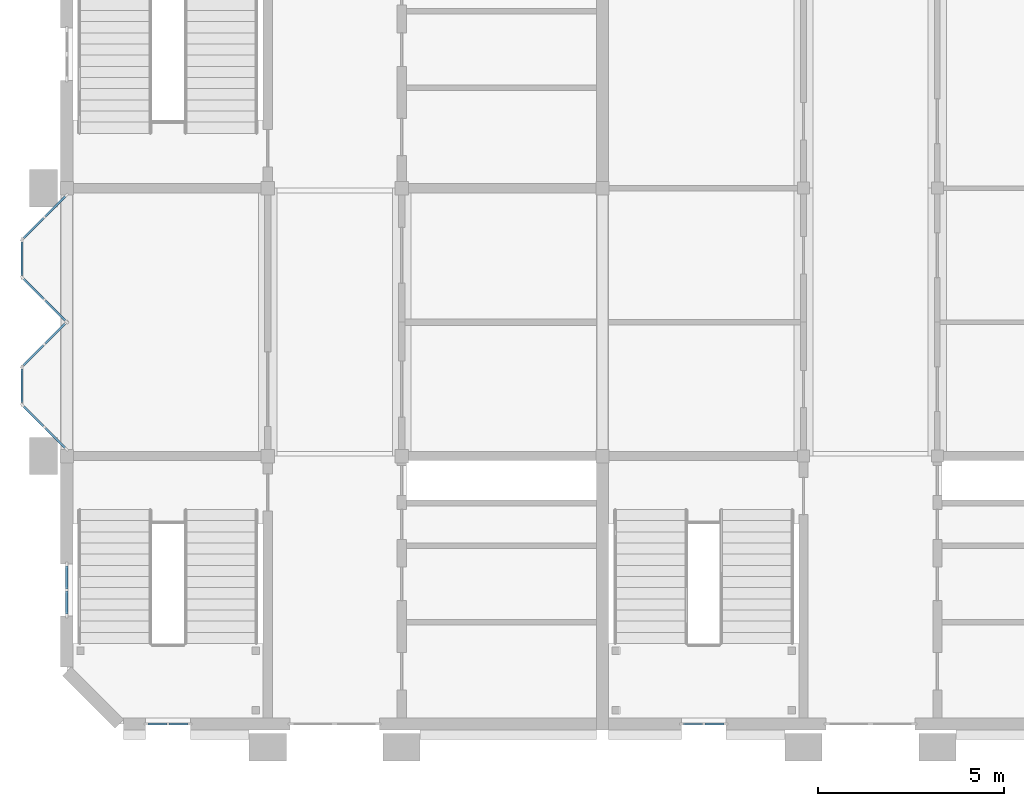
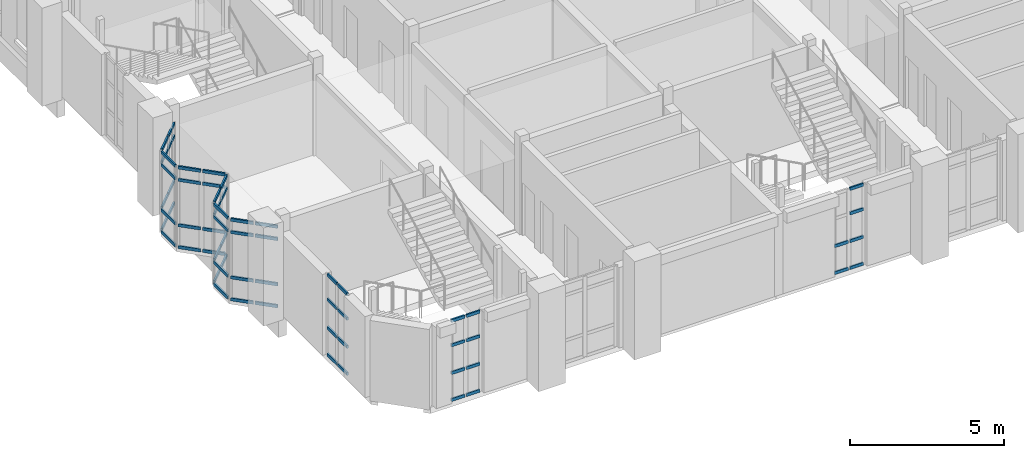
# One storey, part 21 of 69: 62 members, 9 elements without a shape of their own.
"""IFC4 building model written with IfcOpenShell, lengths in metres."""

from ifc_helpers import new_model, si_unit, direction, frame, origin, origin_2d, place, context, subcontext, project, spatial, rectangle, extrude, material, layer, layer_set, material_profile, profile_set, type_object, element, aggregate, save


model = new_model("IFC4")

# Units and contexts
model_context = context("Model", 3, precision=1e-05, world=origin(), true_north=direction((0.0, 1.0)))
body_context = subcontext(model_context, "Body", "Model", "MODEL_VIEW")
ifc_project = project(units=[si_unit("LENGTHUNIT", "METRE"), si_unit("AREAUNIT", "SQUARE_METRE"), si_unit("VOLUMEUNIT", "CUBIC_METRE"), si_unit("PLANEANGLEUNIT", "RADIAN"), si_unit("MASSUNIT", "GRAM", prefix="KILO")], contexts=[model_context])

# Site, building, storey
site_placement = place(None, origin())
site = spatial("IfcSite", under=ifc_project, at=site_placement, CompositionType="ELEMENT")
building_placement = place(site_placement, origin())
building = spatial("IfcBuilding", under=site, at=building_placement, Name="Mazhai Court Health Centre", CompositionType="ELEMENT")
storey_placement = place(building_placement, frame((0.0, 0.0, 6.300048828125)))
storey = spatial("IfcBuildingStorey", under=building, at=storey_placement, Name="L01", CompositionType="ELEMENT", Elevation=6.300048828125)

# Curtain wall, members
ifc_material_1 = material(Name="Teak timber frame, glazed", Category="wood")
ifc_layer_1 = layer(ifc_material_1, 0.10009765625)
ifc_layer_set_1 = layer_set([ifc_layer_1], Name="CURTAIN WALL TIMBER 600")
curtain_wall_type_1 = type_object("IfcCurtainWallType", Name="CURTAIN WALL TIMBER 600", PredefinedType="NOTDEFINED", material=ifc_layer_set_1)
curtain_wall_1_placement = place(storey_placement, origin())
curtain_wall_1 = element("IfcCurtainWall", 1, at=curtain_wall_1_placement, inside=storey, type_object=curtain_wall_type_1, Name="CW-V2-L01-A0", PredefinedType="NOTDEFINED")
ifc_material_2 = material(Name="Teak timber", Category="wood")
ifc_material_profile = material_profile(ifc_material_2, rectangle(XDim=0.06005859375, YDim=0.1201171875, at=origin_2d()), Name="CW TRANSOM 60x120")
ifc_profile_set = profile_set([ifc_material_profile], Name="Teak timber")
member_type = type_object("IfcMemberType", Name="CW TRANSOM 60x120", PredefinedType="USERDEFINED", material=ifc_profile_set)
member_1_placement = place(storey_placement, frame((6.199951171875, 9.159912109375, 0.030029296875), z_axis=(0.0, 1.0, 0.0), x_axis=(-1.0, 0.0, 0.0)))
member_1 = element("IfcMember", 2, at=member_1_placement, type_object=member_type, Name="CW transom 1.1", ObjectType="TRANSOM", PredefinedType="USERDEFINED", context=body_context, shape_type="SweptSolid", body=[
    extrude(rectangle(XDim=0.06005859375, YDim=0.1201171875, at=origin_2d()), origin(), (0.0, 0.0, 1.0), 0.610107421875),
])
member_2_placement = place(storey_placement, frame((6.199951171875, 9.159912109375, 1.099853515625), z_axis=(0.0, 1.0, 0.0), x_axis=(-1.0, 0.0, 0.0)))
member_2 = element("IfcMember", 3, at=member_2_placement, type_object=member_type, Name="CW transom 1.2", ObjectType="TRANSOM", PredefinedType="USERDEFINED", context=body_context, shape_type="SweptSolid", body=[
    extrude(rectangle(XDim=0.06005859375, YDim=0.1201171875, at=origin_2d()), origin(), (0.0, 0.0, 1.0), 0.610107421875),
])
member_3_placement = place(storey_placement, frame((6.199951171875, 9.159912109375, 2.219970703125), z_axis=(0.0, 1.0, 0.0), x_axis=(-1.0, 0.0, 0.0)))
member_3 = element("IfcMember", 4, at=member_3_placement, type_object=member_type, Name="CW transom 1.3", ObjectType="TRANSOM", PredefinedType="USERDEFINED", context=body_context, shape_type="SweptSolid", body=[
    extrude(rectangle(XDim=0.06005859375, YDim=0.1201171875, at=origin_2d()), origin(), (0.0, 0.0, 1.0), 0.610107421875),
])
member_4_placement = place(storey_placement, frame((6.199951171875, 9.159912109375, 3.18994140625), z_axis=(0.0, 1.0, 0.0), x_axis=(-1.0, 0.0, 0.0)))
member_4 = element("IfcMember", 5, at=member_4_placement, type_object=member_type, Name="CW transom 1.4", ObjectType="TRANSOM", PredefinedType="USERDEFINED", context=body_context, shape_type="SweptSolid", body=[
    extrude(rectangle(XDim=0.06005859375, YDim=0.1201171875, at=origin_2d()), origin(), (0.0, 0.0, 1.0), 0.610107421875),
])
member_5_placement = place(storey_placement, frame((6.199951171875, 9.830078125, 0.030029296875), z_axis=(0.0, 1.0, 0.0), x_axis=(-1.0, 0.0, 0.0)))
member_5 = element("IfcMember", 6, at=member_5_placement, type_object=member_type, Name="CW transom 2.1", ObjectType="TRANSOM", PredefinedType="USERDEFINED", context=body_context, shape_type="SweptSolid", body=[
    extrude(rectangle(XDim=0.06005859375, YDim=0.1201171875, at=origin_2d()), origin(), (0.0, 0.0, 1.0), 0.60986328125),
])
member_6_placement = place(storey_placement, frame((6.199951171875, 9.830078125, 1.099853515625), z_axis=(0.0, 1.0, 0.0), x_axis=(-1.0, 0.0, 0.0)))
member_6 = element("IfcMember", 7, at=member_6_placement, type_object=member_type, Name="CW transom 2.2", ObjectType="TRANSOM", PredefinedType="USERDEFINED", context=body_context, shape_type="SweptSolid", body=[
    extrude(rectangle(XDim=0.06005859375, YDim=0.1201171875, at=origin_2d()), origin(), (0.0, 0.0, 1.0), 0.60986328125),
])
member_7_placement = place(storey_placement, frame((6.199951171875, 9.830078125, 2.219970703125), z_axis=(0.0, 1.0, 0.0), x_axis=(-1.0, 0.0, 0.0)))
member_7 = element("IfcMember", 8, at=member_7_placement, type_object=member_type, Name="CW transom 2.3", ObjectType="TRANSOM", PredefinedType="USERDEFINED", context=body_context, shape_type="SweptSolid", body=[
    extrude(rectangle(XDim=0.06005859375, YDim=0.1201171875, at=origin_2d()), origin(), (0.0, 0.0, 1.0), 0.60986328125),
])
member_8_placement = place(storey_placement, frame((6.199951171875, 9.830078125, 3.18994140625), z_axis=(0.0, 1.0, 0.0), x_axis=(-1.0, 0.0, 0.0)))
member_8 = element("IfcMember", 9, at=member_8_placement, type_object=member_type, Name="CW transom 2.4", ObjectType="TRANSOM", PredefinedType="USERDEFINED", context=body_context, shape_type="SweptSolid", body=[
    extrude(rectangle(XDim=0.06005859375, YDim=0.1201171875, at=origin_2d()), origin(), (0.0, 0.0, 1.0), 0.60986328125),
])
aggregate(curtain_wall_1, [member_1, member_2, member_3, member_4, member_5, member_6, member_7, member_8])

ifc_material_3 = material(Name="Teak timber frame, glazed", Category="wood")
ifc_layer_2 = layer(ifc_material_3, 0.10009765625)
ifc_layer_set_2 = layer_set([ifc_layer_2], Name="CURTAIN WALL TIMBER 900")
curtain_wall_type_2 = type_object("IfcCurtainWallType", Name="CURTAIN WALL TIMBER 900", PredefinedType="NOTDEFINED", material=ifc_layer_set_2)
curtain_wall_2_placement = place(storey_placement, origin())
curtain_wall_2 = element("IfcCurtainWall", 10, at=curtain_wall_2_placement, inside=storey, type_object=curtain_wall_type_2, Name="CW-ORIEL-V2-L01-A10-0", PredefinedType="NOTDEFINED")
member_9_placement = place(storey_placement, frame((6.157470703125, 13.622314453125, 0.030029296875), z_axis=(-0.707106781187, 0.707106781187, 0.0), x_axis=(-0.707106781187, -0.707106781187, 0.0)))
member_9 = element("IfcMember", 11, at=member_9_placement, type_object=member_type, Name="CW transom 1.1", ObjectType="TRANSOM", PredefinedType="USERDEFINED", context=body_context, shape_type="SweptSolid", body=[
    extrude(rectangle(XDim=0.06005859375, YDim=0.1201171875, at=origin_2d()), origin(), (0.0, 0.0, 1.0), 0.758544921875),
])
member_10_placement = place(storey_placement, frame((6.157470703125, 13.622314453125, 0.89990234375), z_axis=(-0.707106781187, 0.707106781187, 0.0), x_axis=(-0.707106781187, -0.707106781187, 0.0)))
member_10 = element("IfcMember", 12, at=member_10_placement, type_object=member_type, Name="CW transom 1.2", ObjectType="TRANSOM", PredefinedType="USERDEFINED", context=body_context, shape_type="SweptSolid", body=[
    extrude(rectangle(XDim=0.06005859375, YDim=0.1201171875, at=origin_2d()), origin(), (0.0, 0.0, 1.0), 0.758544921875),
])
member_11_placement = place(storey_placement, frame((6.157470703125, 13.622314453125, 2.699951171875), z_axis=(-0.707106781187, 0.707106781187, 0.0), x_axis=(-0.707106781187, -0.707106781187, 0.0)))
member_11 = element("IfcMember", 13, at=member_11_placement, type_object=member_type, Name="CW transom 1.3", ObjectType="TRANSOM", PredefinedType="USERDEFINED", context=body_context, shape_type="SweptSolid", body=[
    extrude(rectangle(XDim=0.06005859375, YDim=0.1201171875, at=origin_2d()), origin(), (0.0, 0.0, 1.0), 0.758544921875),
])
member_12_placement = place(storey_placement, frame((6.157470703125, 13.622314453125, 3.18994140625), z_axis=(-0.707106781187, 0.707106781187, 0.0), x_axis=(-0.707106781187, -0.707106781187, 0.0)))
member_12 = element("IfcMember", 14, at=member_12_placement, type_object=member_type, Name="CW transom 1.4", ObjectType="TRANSOM", PredefinedType="USERDEFINED", context=body_context, shape_type="SweptSolid", body=[
    extrude(rectangle(XDim=0.06005859375, YDim=0.1201171875, at=origin_2d()), origin(), (0.0, 0.0, 1.0), 0.758544921875),
])
member_13_placement = place(storey_placement, frame((5.578857421875, 14.201171875, 0.030029296875), z_axis=(-0.707106781187, 0.707106781187, 0.0), x_axis=(-0.707106781187, -0.707106781187, 0.0)))
member_13 = element("IfcMember", 15, at=member_13_placement, type_object=member_type, Name="CW transom 2.1", ObjectType="TRANSOM", PredefinedType="USERDEFINED", context=body_context, shape_type="SweptSolid", body=[
    extrude(rectangle(XDim=0.06005859375, YDim=0.1201171875, at=origin_2d()), origin(), (0.0, 0.0, 1.0), 0.758544921875),
])
member_14_placement = place(storey_placement, frame((5.578857421875, 14.201171875, 0.89990234375), z_axis=(-0.707106781187, 0.707106781187, 0.0), x_axis=(-0.707106781187, -0.707106781187, 0.0)))
member_14 = element("IfcMember", 16, at=member_14_placement, type_object=member_type, Name="CW transom 2.2", ObjectType="TRANSOM", PredefinedType="USERDEFINED", context=body_context, shape_type="SweptSolid", body=[
    extrude(rectangle(XDim=0.06005859375, YDim=0.1201171875, at=origin_2d()), origin(), (0.0, 0.0, 1.0), 0.758544921875),
])
member_15_placement = place(storey_placement, frame((5.578857421875, 14.201171875, 2.699951171875), z_axis=(-0.707106781187, 0.707106781187, 0.0), x_axis=(-0.707106781187, -0.707106781187, 0.0)))
member_15 = element("IfcMember", 17, at=member_15_placement, type_object=member_type, Name="CW transom 2.3", ObjectType="TRANSOM", PredefinedType="USERDEFINED", context=body_context, shape_type="SweptSolid", body=[
    extrude(rectangle(XDim=0.06005859375, YDim=0.1201171875, at=origin_2d()), origin(), (0.0, 0.0, 1.0), 0.758544921875),
])
member_16_placement = place(storey_placement, frame((5.578857421875, 14.201171875, 3.18994140625), z_axis=(-0.707106781187, 0.707106781187, 0.0), x_axis=(-0.707106781187, -0.707106781187, 0.0)))
member_16 = element("IfcMember", 18, at=member_16_placement, type_object=member_type, Name="CW transom 2.4", ObjectType="TRANSOM", PredefinedType="USERDEFINED", context=body_context, shape_type="SweptSolid", body=[
    extrude(rectangle(XDim=0.06005859375, YDim=0.1201171875, at=origin_2d()), origin(), (0.0, 0.0, 1.0), 0.758544921875),
])
aggregate(curtain_wall_2, [member_9, member_10, member_11, member_12, member_13, member_14, member_15, member_16])

curtain_wall_3_placement = place(storey_placement, origin())
curtain_wall_3 = element("IfcCurtainWall", 19, at=curtain_wall_3_placement, inside=storey, type_object=curtain_wall_type_2, Name="CW-ORIEL-V2-L01-A10-1", PredefinedType="NOTDEFINED")
member_17_placement = place(storey_placement, frame((5.0, 14.840087890625, 0.030029296875), z_axis=(0.0, 1.0, 0.0), x_axis=(-1.0, 0.0, 0.0)))
member_17 = element("IfcMember", 20, at=member_17_placement, type_object=member_type, Name="CW transom 1.1", ObjectType="TRANSOM", PredefinedType="USERDEFINED", context=body_context, shape_type="SweptSolid", body=[
    extrude(rectangle(XDim=0.06005859375, YDim=0.1201171875, at=origin_2d()), origin(), (0.0, 0.0, 1.0), 0.89990234375),
])
member_18_placement = place(storey_placement, frame((5.0, 14.840087890625, 0.89990234375), z_axis=(0.0, 1.0, 0.0), x_axis=(-1.0, 0.0, 0.0)))
member_18 = element("IfcMember", 21, at=member_18_placement, type_object=member_type, Name="CW transom 1.2", ObjectType="TRANSOM", PredefinedType="USERDEFINED", context=body_context, shape_type="SweptSolid", body=[
    extrude(rectangle(XDim=0.06005859375, YDim=0.1201171875, at=origin_2d()), origin(), (0.0, 0.0, 1.0), 0.89990234375),
])
member_19_placement = place(storey_placement, frame((5.0, 14.840087890625, 2.699951171875), z_axis=(0.0, 1.0, 0.0), x_axis=(-1.0, 0.0, 0.0)))
member_19 = element("IfcMember", 22, at=member_19_placement, type_object=member_type, Name="CW transom 1.3", ObjectType="TRANSOM", PredefinedType="USERDEFINED", context=body_context, shape_type="SweptSolid", body=[
    extrude(rectangle(XDim=0.06005859375, YDim=0.1201171875, at=origin_2d()), origin(), (0.0, 0.0, 1.0), 0.89990234375),
])
member_20_placement = place(storey_placement, frame((5.0, 14.840087890625, 3.18994140625), z_axis=(0.0, 1.0, 0.0), x_axis=(-1.0, 0.0, 0.0)))
member_20 = element("IfcMember", 23, at=member_20_placement, type_object=member_type, Name="CW transom 1.4", ObjectType="TRANSOM", PredefinedType="USERDEFINED", context=body_context, shape_type="SweptSolid", body=[
    extrude(rectangle(XDim=0.06005859375, YDim=0.1201171875, at=origin_2d()), origin(), (0.0, 0.0, 1.0), 0.89990234375),
])
aggregate(curtain_wall_3, [member_17, member_18, member_19, member_20])

curtain_wall_4_placement = place(storey_placement, origin())
curtain_wall_4 = element("IfcCurtainWall", 24, at=curtain_wall_4_placement, inside=storey, type_object=curtain_wall_type_2, Name="CW-ORIEL-V2-L01-A10-2", PredefinedType="NOTDEFINED")
member_21_placement = place(storey_placement, frame((5.04248046875, 15.842529296875, 0.030029296875), z_axis=(0.707106781187, 0.707106781187, 0.0), x_axis=(-0.707106781187, 0.707106781187, 0.0)))
member_21 = element("IfcMember", 25, at=member_21_placement, type_object=member_type, Name="CW transom 1.1", ObjectType="TRANSOM", PredefinedType="USERDEFINED", context=body_context, shape_type="SweptSolid", body=[
    extrude(rectangle(XDim=0.06005859375, YDim=0.1201171875, at=origin_2d()), origin(), (0.0, 0.0, 1.0), 0.758544921875),
])
member_22_placement = place(storey_placement, frame((5.04248046875, 15.842529296875, 0.89990234375), z_axis=(0.707106781187, 0.707106781187, 0.0), x_axis=(-0.707106781187, 0.707106781187, 0.0)))
member_22 = element("IfcMember", 26, at=member_22_placement, type_object=member_type, Name="CW transom 1.2", ObjectType="TRANSOM", PredefinedType="USERDEFINED", context=body_context, shape_type="SweptSolid", body=[
    extrude(rectangle(XDim=0.06005859375, YDim=0.1201171875, at=origin_2d()), origin(), (0.0, 0.0, 1.0), 0.758544921875),
])
member_23_placement = place(storey_placement, frame((5.04248046875, 15.842529296875, 2.699951171875), z_axis=(0.707106781187, 0.707106781187, 0.0), x_axis=(-0.707106781187, 0.707106781187, 0.0)))
member_23 = element("IfcMember", 27, at=member_23_placement, type_object=member_type, Name="CW transom 1.3", ObjectType="TRANSOM", PredefinedType="USERDEFINED", context=body_context, shape_type="SweptSolid", body=[
    extrude(rectangle(XDim=0.06005859375, YDim=0.1201171875, at=origin_2d()), origin(), (0.0, 0.0, 1.0), 0.758544921875),
])
member_24_placement = place(storey_placement, frame((5.04248046875, 15.842529296875, 3.18994140625), z_axis=(0.707106781187, 0.707106781187, 0.0), x_axis=(-0.707106781187, 0.707106781187, 0.0)))
member_24 = element("IfcMember", 28, at=member_24_placement, type_object=member_type, Name="CW transom 1.4", ObjectType="TRANSOM", PredefinedType="USERDEFINED", context=body_context, shape_type="SweptSolid", body=[
    extrude(rectangle(XDim=0.06005859375, YDim=0.1201171875, at=origin_2d()), origin(), (0.0, 0.0, 1.0), 0.758544921875),
])
member_25_placement = place(storey_placement, frame((5.62109375, 16.421142578125, 0.030029296875), z_axis=(0.707106781187, 0.707106781187, 0.0), x_axis=(-0.707106781187, 0.707106781187, 0.0)))
member_25 = element("IfcMember", 29, at=member_25_placement, type_object=member_type, Name="CW transom 2.1", ObjectType="TRANSOM", PredefinedType="USERDEFINED", context=body_context, shape_type="SweptSolid", body=[
    extrude(rectangle(XDim=0.06005859375, YDim=0.1201171875, at=origin_2d()), origin(), (0.0, 0.0, 1.0), 0.758544921875),
])
member_26_placement = place(storey_placement, frame((5.62109375, 16.421142578125, 0.89990234375), z_axis=(0.707106781187, 0.707106781187, 0.0), x_axis=(-0.707106781187, 0.707106781187, 0.0)))
member_26 = element("IfcMember", 30, at=member_26_placement, type_object=member_type, Name="CW transom 2.2", ObjectType="TRANSOM", PredefinedType="USERDEFINED", context=body_context, shape_type="SweptSolid", body=[
    extrude(rectangle(XDim=0.06005859375, YDim=0.1201171875, at=origin_2d()), origin(), (0.0, 0.0, 1.0), 0.758544921875),
])
member_27_placement = place(storey_placement, frame((5.62109375, 16.421142578125, 2.699951171875), z_axis=(0.707106781187, 0.707106781187, 0.0), x_axis=(-0.707106781187, 0.707106781187, 0.0)))
member_27 = element("IfcMember", 31, at=member_27_placement, type_object=member_type, Name="CW transom 2.3", ObjectType="TRANSOM", PredefinedType="USERDEFINED", context=body_context, shape_type="SweptSolid", body=[
    extrude(rectangle(XDim=0.06005859375, YDim=0.1201171875, at=origin_2d()), origin(), (0.0, 0.0, 1.0), 0.758544921875),
])
member_28_placement = place(storey_placement, frame((5.62109375, 16.421142578125, 3.18994140625), z_axis=(0.707106781187, 0.707106781187, 0.0), x_axis=(-0.707106781187, 0.707106781187, 0.0)))
member_28 = element("IfcMember", 32, at=member_28_placement, type_object=member_type, Name="CW transom 2.4", ObjectType="TRANSOM", PredefinedType="USERDEFINED", context=body_context, shape_type="SweptSolid", body=[
    extrude(rectangle(XDim=0.06005859375, YDim=0.1201171875, at=origin_2d()), origin(), (0.0, 0.0, 1.0), 0.758544921875),
])
aggregate(curtain_wall_4, [member_21, member_22, member_23, member_24, member_25, member_26, member_27, member_28])

curtain_wall_5_placement = place(storey_placement, origin())
curtain_wall_5 = element("IfcCurtainWall", 33, at=curtain_wall_5_placement, inside=storey, type_object=curtain_wall_type_2, Name="CW-ORIEL-V2-L01-A11-0", PredefinedType="NOTDEFINED")
member_29_placement = place(storey_placement, frame((6.157470703125, 17.04248046875, 0.030029296875), z_axis=(-0.707106781187, 0.707106781187, 0.0), x_axis=(-0.707106781187, -0.707106781187, 0.0)))
member_29 = element("IfcMember", 34, at=member_29_placement, type_object=member_type, Name="CW transom 1.1", ObjectType="TRANSOM", PredefinedType="USERDEFINED", context=body_context, shape_type="SweptSolid", body=[
    extrude(rectangle(XDim=0.06005859375, YDim=0.1201171875, at=origin_2d()), origin(), (0.0, 0.0, 1.0), 0.758544921875),
])
member_30_placement = place(storey_placement, frame((6.157470703125, 17.04248046875, 0.89990234375), z_axis=(-0.707106781187, 0.707106781187, 0.0), x_axis=(-0.707106781187, -0.707106781187, 0.0)))
member_30 = element("IfcMember", 35, at=member_30_placement, type_object=member_type, Name="CW transom 1.2", ObjectType="TRANSOM", PredefinedType="USERDEFINED", context=body_context, shape_type="SweptSolid", body=[
    extrude(rectangle(XDim=0.06005859375, YDim=0.1201171875, at=origin_2d()), origin(), (0.0, 0.0, 1.0), 0.758544921875),
])
member_31_placement = place(storey_placement, frame((6.157470703125, 17.04248046875, 2.699951171875), z_axis=(-0.707106781187, 0.707106781187, 0.0), x_axis=(-0.707106781187, -0.707106781187, 0.0)))
member_31 = element("IfcMember", 36, at=member_31_placement, type_object=member_type, Name="CW transom 1.3", ObjectType="TRANSOM", PredefinedType="USERDEFINED", context=body_context, shape_type="SweptSolid", body=[
    extrude(rectangle(XDim=0.06005859375, YDim=0.1201171875, at=origin_2d()), origin(), (0.0, 0.0, 1.0), 0.758544921875),
])
member_32_placement = place(storey_placement, frame((6.157470703125, 17.04248046875, 3.18994140625), z_axis=(-0.707106781187, 0.707106781187, 0.0), x_axis=(-0.707106781187, -0.707106781187, 0.0)))
member_32 = element("IfcMember", 37, at=member_32_placement, type_object=member_type, Name="CW transom 1.4", ObjectType="TRANSOM", PredefinedType="USERDEFINED", context=body_context, shape_type="SweptSolid", body=[
    extrude(rectangle(XDim=0.06005859375, YDim=0.1201171875, at=origin_2d()), origin(), (0.0, 0.0, 1.0), 0.758544921875),
])
member_33_placement = place(storey_placement, frame((5.578857421875, 17.62109375, 0.030029296875), z_axis=(-0.707106781187, 0.707106781187, 0.0), x_axis=(-0.707106781187, -0.707106781187, 0.0)))
member_33 = element("IfcMember", 38, at=member_33_placement, type_object=member_type, Name="CW transom 2.1", ObjectType="TRANSOM", PredefinedType="USERDEFINED", context=body_context, shape_type="SweptSolid", body=[
    extrude(rectangle(XDim=0.06005859375, YDim=0.1201171875, at=origin_2d()), origin(), (0.0, 0.0, 1.0), 0.758544921875),
])
member_34_placement = place(storey_placement, frame((5.578857421875, 17.62109375, 0.89990234375), z_axis=(-0.707106781187, 0.707106781187, 0.0), x_axis=(-0.707106781187, -0.707106781187, 0.0)))
member_34 = element("IfcMember", 39, at=member_34_placement, type_object=member_type, Name="CW transom 2.2", ObjectType="TRANSOM", PredefinedType="USERDEFINED", context=body_context, shape_type="SweptSolid", body=[
    extrude(rectangle(XDim=0.06005859375, YDim=0.1201171875, at=origin_2d()), origin(), (0.0, 0.0, 1.0), 0.758544921875),
])
member_35_placement = place(storey_placement, frame((5.578857421875, 17.62109375, 2.699951171875), z_axis=(-0.707106781187, 0.707106781187, 0.0), x_axis=(-0.707106781187, -0.707106781187, 0.0)))
member_35 = element("IfcMember", 40, at=member_35_placement, type_object=member_type, Name="CW transom 2.3", ObjectType="TRANSOM", PredefinedType="USERDEFINED", context=body_context, shape_type="SweptSolid", body=[
    extrude(rectangle(XDim=0.06005859375, YDim=0.1201171875, at=origin_2d()), origin(), (0.0, 0.0, 1.0), 0.758544921875),
])
member_36_placement = place(storey_placement, frame((5.578857421875, 17.62109375, 3.18994140625), z_axis=(-0.707106781187, 0.707106781187, 0.0), x_axis=(-0.707106781187, -0.707106781187, 0.0)))
member_36 = element("IfcMember", 41, at=member_36_placement, type_object=member_type, Name="CW transom 2.4", ObjectType="TRANSOM", PredefinedType="USERDEFINED", context=body_context, shape_type="SweptSolid", body=[
    extrude(rectangle(XDim=0.06005859375, YDim=0.1201171875, at=origin_2d()), origin(), (0.0, 0.0, 1.0), 0.758544921875),
])
aggregate(curtain_wall_5, [member_29, member_30, member_31, member_32, member_33, member_34, member_35, member_36])

curtain_wall_6_placement = place(storey_placement, origin())
curtain_wall_6 = element("IfcCurtainWall", 42, at=curtain_wall_6_placement, inside=storey, type_object=curtain_wall_type_2, Name="CW-ORIEL-V2-L01-A11-1", PredefinedType="NOTDEFINED")
member_37_placement = place(storey_placement, frame((5.0, 18.260009765625, 0.030029296875), z_axis=(0.0, 1.0, 0.0), x_axis=(-1.0, 0.0, 0.0)))
member_37 = element("IfcMember", 43, at=member_37_placement, type_object=member_type, Name="CW transom 1.1", ObjectType="TRANSOM", PredefinedType="USERDEFINED", context=body_context, shape_type="SweptSolid", body=[
    extrude(rectangle(XDim=0.06005859375, YDim=0.1201171875, at=origin_2d()), origin(), (0.0, 0.0, 1.0), 0.89990234375),
])
member_38_placement = place(storey_placement, frame((5.0, 18.260009765625, 0.89990234375), z_axis=(0.0, 1.0, 0.0), x_axis=(-1.0, 0.0, 0.0)))
member_38 = element("IfcMember", 44, at=member_38_placement, type_object=member_type, Name="CW transom 1.2", ObjectType="TRANSOM", PredefinedType="USERDEFINED", context=body_context, shape_type="SweptSolid", body=[
    extrude(rectangle(XDim=0.06005859375, YDim=0.1201171875, at=origin_2d()), origin(), (0.0, 0.0, 1.0), 0.89990234375),
])
member_39_placement = place(storey_placement, frame((5.0, 18.260009765625, 2.699951171875), z_axis=(0.0, 1.0, 0.0), x_axis=(-1.0, 0.0, 0.0)))
member_39 = element("IfcMember", 45, at=member_39_placement, type_object=member_type, Name="CW transom 1.3", ObjectType="TRANSOM", PredefinedType="USERDEFINED", context=body_context, shape_type="SweptSolid", body=[
    extrude(rectangle(XDim=0.06005859375, YDim=0.1201171875, at=origin_2d()), origin(), (0.0, 0.0, 1.0), 0.89990234375),
])
member_40_placement = place(storey_placement, frame((5.0, 18.260009765625, 3.18994140625), z_axis=(0.0, 1.0, 0.0), x_axis=(-1.0, 0.0, 0.0)))
member_40 = element("IfcMember", 46, at=member_40_placement, type_object=member_type, Name="CW transom 1.4", ObjectType="TRANSOM", PredefinedType="USERDEFINED", context=body_context, shape_type="SweptSolid", body=[
    extrude(rectangle(XDim=0.06005859375, YDim=0.1201171875, at=origin_2d()), origin(), (0.0, 0.0, 1.0), 0.89990234375),
])
aggregate(curtain_wall_6, [member_37, member_38, member_39, member_40])

curtain_wall_7_placement = place(storey_placement, origin())
curtain_wall_7 = element("IfcCurtainWall", 47, at=curtain_wall_7_placement, inside=storey, type_object=curtain_wall_type_2, Name="CW-ORIEL-V2-L01-A11-2", PredefinedType="NOTDEFINED")
member_41_placement = place(storey_placement, frame((5.04248046875, 19.262451171875, 0.030029296875), z_axis=(0.707106781187, 0.707106781187, 0.0), x_axis=(-0.707106781187, 0.707106781187, 0.0)))
member_41 = element("IfcMember", 48, at=member_41_placement, type_object=member_type, Name="CW transom 1.1", ObjectType="TRANSOM", PredefinedType="USERDEFINED", context=body_context, shape_type="SweptSolid", body=[
    extrude(rectangle(XDim=0.06005859375, YDim=0.1201171875, at=origin_2d()), origin(), (0.0, 0.0, 1.0), 0.758544921875),
])
member_42_placement = place(storey_placement, frame((5.04248046875, 19.262451171875, 0.89990234375), z_axis=(0.707106781187, 0.707106781187, 0.0), x_axis=(-0.707106781187, 0.707106781187, 0.0)))
member_42 = element("IfcMember", 49, at=member_42_placement, type_object=member_type, Name="CW transom 1.2", ObjectType="TRANSOM", PredefinedType="USERDEFINED", context=body_context, shape_type="SweptSolid", body=[
    extrude(rectangle(XDim=0.06005859375, YDim=0.1201171875, at=origin_2d()), origin(), (0.0, 0.0, 1.0), 0.758544921875),
])
member_43_placement = place(storey_placement, frame((5.04248046875, 19.262451171875, 2.699951171875), z_axis=(0.707106781187, 0.707106781187, 0.0), x_axis=(-0.707106781187, 0.707106781187, 0.0)))
member_43 = element("IfcMember", 50, at=member_43_placement, type_object=member_type, Name="CW transom 1.3", ObjectType="TRANSOM", PredefinedType="USERDEFINED", context=body_context, shape_type="SweptSolid", body=[
    extrude(rectangle(XDim=0.06005859375, YDim=0.1201171875, at=origin_2d()), origin(), (0.0, 0.0, 1.0), 0.758544921875),
])
member_44_placement = place(storey_placement, frame((5.04248046875, 19.262451171875, 3.18994140625), z_axis=(0.707106781187, 0.707106781187, 0.0), x_axis=(-0.707106781187, 0.707106781187, 0.0)))
member_44 = element("IfcMember", 51, at=member_44_placement, type_object=member_type, Name="CW transom 1.4", ObjectType="TRANSOM", PredefinedType="USERDEFINED", context=body_context, shape_type="SweptSolid", body=[
    extrude(rectangle(XDim=0.06005859375, YDim=0.1201171875, at=origin_2d()), origin(), (0.0, 0.0, 1.0), 0.758544921875),
])
member_45_placement = place(storey_placement, frame((5.62109375, 19.84130859375, 0.030029296875), z_axis=(0.707106781187, 0.707106781187, 0.0), x_axis=(-0.707106781187, 0.707106781187, 0.0)))
member_45 = element("IfcMember", 52, at=member_45_placement, type_object=member_type, Name="CW transom 2.1", ObjectType="TRANSOM", PredefinedType="USERDEFINED", context=body_context, shape_type="SweptSolid", body=[
    extrude(rectangle(XDim=0.06005859375, YDim=0.1201171875, at=origin_2d()), origin(), (0.0, 0.0, 1.0), 0.758544921875),
])
member_46_placement = place(storey_placement, frame((5.62109375, 19.84130859375, 0.89990234375), z_axis=(0.707106781187, 0.707106781187, 0.0), x_axis=(-0.707106781187, 0.707106781187, 0.0)))
member_46 = element("IfcMember", 53, at=member_46_placement, type_object=member_type, Name="CW transom 2.2", ObjectType="TRANSOM", PredefinedType="USERDEFINED", context=body_context, shape_type="SweptSolid", body=[
    extrude(rectangle(XDim=0.06005859375, YDim=0.1201171875, at=origin_2d()), origin(), (0.0, 0.0, 1.0), 0.758544921875),
])
member_47_placement = place(storey_placement, frame((5.62109375, 19.84130859375, 2.699951171875), z_axis=(0.707106781187, 0.707106781187, 0.0), x_axis=(-0.707106781187, 0.707106781187, 0.0)))
member_47 = element("IfcMember", 54, at=member_47_placement, type_object=member_type, Name="CW transom 2.3", ObjectType="TRANSOM", PredefinedType="USERDEFINED", context=body_context, shape_type="SweptSolid", body=[
    extrude(rectangle(XDim=0.06005859375, YDim=0.1201171875, at=origin_2d()), origin(), (0.0, 0.0, 1.0), 0.758544921875),
])
member_48_placement = place(storey_placement, frame((5.62109375, 19.84130859375, 3.18994140625), z_axis=(0.707106781187, 0.707106781187, 0.0), x_axis=(-0.707106781187, 0.707106781187, 0.0)))
member_48 = element("IfcMember", 55, at=member_48_placement, type_object=member_type, Name="CW transom 2.4", ObjectType="TRANSOM", PredefinedType="USERDEFINED", context=body_context, shape_type="SweptSolid", body=[
    extrude(rectangle(XDim=0.06005859375, YDim=0.1201171875, at=origin_2d()), origin(), (0.0, 0.0, 1.0), 0.758544921875),
])
aggregate(curtain_wall_7, [member_41, member_42, member_43, member_44, member_45, member_46, member_47, member_48])

curtain_wall_8_placement = place(storey_placement, origin())
curtain_wall_8 = element("IfcCurtainWall", 56, at=curtain_wall_8_placement, inside=storey, type_object=curtain_wall_type_1, Name="CW-V2-L01-SSTAIR0", PredefinedType="NOTDEFINED")
member_49_placement = place(storey_placement, frame((9.4599609375, 6.199951171875, 0.030029296875), z_axis=(-1.0, 0.0, 0.0), x_axis=(0.0, -1.0, 0.0)))
member_49 = element("IfcMember", 57, at=member_49_placement, type_object=member_type, Name="CW transom 1.1", ObjectType="TRANSOM", PredefinedType="USERDEFINED", context=body_context, shape_type="SweptSolid", body=[
    extrude(rectangle(XDim=0.06005859375, YDim=0.1201171875, at=origin_2d()), origin(), (0.0, 0.0, 1.0), 0.510009765625),
])
member_50_placement = place(storey_placement, frame((9.4599609375, 6.199951171875, 1.099853515625), z_axis=(-1.0, 0.0, 0.0), x_axis=(0.0, -1.0, 0.0)))
member_50 = element("IfcMember", 58, at=member_50_placement, type_object=member_type, Name="CW transom 1.2", ObjectType="TRANSOM", PredefinedType="USERDEFINED", context=body_context, shape_type="SweptSolid", body=[
    extrude(rectangle(XDim=0.06005859375, YDim=0.1201171875, at=origin_2d()), origin(), (0.0, 0.0, 1.0), 0.510009765625),
])
member_51_placement = place(storey_placement, frame((9.4599609375, 6.199951171875, 2.199951171875), z_axis=(-1.0, 0.0, 0.0), x_axis=(0.0, -1.0, 0.0)))
member_51 = element("IfcMember", 59, at=member_51_placement, type_object=member_type, Name="CW transom 1.3", ObjectType="TRANSOM", PredefinedType="USERDEFINED", context=body_context, shape_type="SweptSolid", body=[
    extrude(rectangle(XDim=0.06005859375, YDim=0.1201171875, at=origin_2d()), origin(), (0.0, 0.0, 1.0), 0.510009765625),
])
member_52_placement = place(storey_placement, frame((9.4599609375, 6.199951171875, 3.169921875), z_axis=(-1.0, 0.0, 0.0), x_axis=(0.0, -1.0, 0.0)))
member_52 = element("IfcMember", 60, at=member_52_placement, type_object=member_type, Name="CW transom 1.4", ObjectType="TRANSOM", PredefinedType="USERDEFINED", context=body_context, shape_type="SweptSolid", body=[
    extrude(rectangle(XDim=0.06005859375, YDim=0.1201171875, at=origin_2d()), origin(), (0.0, 0.0, 1.0), 0.510009765625),
])
member_53_placement = place(storey_placement, frame((8.889892578125, 6.199951171875, 0.030029296875), z_axis=(-1.0, 0.0, 0.0), x_axis=(0.0, -1.0, 0.0)))
member_53 = element("IfcMember", 61, at=member_53_placement, type_object=member_type, Name="CW transom 2.1", ObjectType="TRANSOM", PredefinedType="USERDEFINED", context=body_context, shape_type="SweptSolid", body=[
    extrude(rectangle(XDim=0.06005859375, YDim=0.1201171875, at=origin_2d()), origin(), (0.0, 0.0, 1.0), 0.510009765625),
])
member_54_placement = place(storey_placement, frame((8.889892578125, 6.199951171875, 1.099853515625), z_axis=(-1.0, 0.0, 0.0), x_axis=(0.0, -1.0, 0.0)))
member_54 = element("IfcMember", 62, at=member_54_placement, type_object=member_type, Name="CW transom 2.2", ObjectType="TRANSOM", PredefinedType="USERDEFINED", context=body_context, shape_type="SweptSolid", body=[
    extrude(rectangle(XDim=0.06005859375, YDim=0.1201171875, at=origin_2d()), origin(), (0.0, 0.0, 1.0), 0.510009765625),
])
member_55_placement = place(storey_placement, frame((8.889892578125, 6.199951171875, 2.199951171875), z_axis=(-1.0, 0.0, 0.0), x_axis=(0.0, -1.0, 0.0)))
member_55 = element("IfcMember", 63, at=member_55_placement, type_object=member_type, Name="CW transom 2.3", ObjectType="TRANSOM", PredefinedType="USERDEFINED", context=body_context, shape_type="SweptSolid", body=[
    extrude(rectangle(XDim=0.06005859375, YDim=0.1201171875, at=origin_2d()), origin(), (0.0, 0.0, 1.0), 0.510009765625),
])
member_56_placement = place(storey_placement, frame((8.889892578125, 6.199951171875, 3.169921875), z_axis=(-1.0, 0.0, 0.0), x_axis=(0.0, -1.0, 0.0)))
member_56 = element("IfcMember", 64, at=member_56_placement, type_object=member_type, Name="CW transom 2.4", ObjectType="TRANSOM", PredefinedType="USERDEFINED", context=body_context, shape_type="SweptSolid", body=[
    extrude(rectangle(XDim=0.06005859375, YDim=0.1201171875, at=origin_2d()), origin(), (0.0, 0.0, 1.0), 0.510009765625),
])
aggregate(curtain_wall_8, [member_49, member_50, member_51, member_52, member_53, member_54, member_55, member_56])

curtain_wall_9_placement = place(storey_placement, origin())
curtain_wall_9 = element("IfcCurtainWall", 65, at=curtain_wall_9_placement, inside=storey, type_object=curtain_wall_type_1, Name="CW-V5-L01-SSTAIR0", PredefinedType="NOTDEFINED")
member_57_placement = place(storey_placement, frame((23.860107421875, 6.199951171875, 0.030029296875), z_axis=(-1.0, 0.0, 0.0), x_axis=(0.0, -1.0, 0.0)))
member_57 = element("IfcMember", 66, at=member_57_placement, type_object=member_type, Name="CW transom 1.1", ObjectType="TRANSOM", PredefinedType="USERDEFINED", context=body_context, shape_type="SweptSolid", body=[
    extrude(rectangle(XDim=0.06005859375, YDim=0.1201171875, at=origin_2d()), origin(), (0.0, 0.0, 1.0), 0.510009765625),
])
member_58_placement = place(storey_placement, frame((23.860107421875, 6.199951171875, 1.099853515625), z_axis=(-1.0, 0.0, 0.0), x_axis=(0.0, -1.0, 0.0)))
member_58 = element("IfcMember", 67, at=member_58_placement, type_object=member_type, Name="CW transom 1.2", ObjectType="TRANSOM", PredefinedType="USERDEFINED", context=body_context, shape_type="SweptSolid", body=[
    extrude(rectangle(XDim=0.06005859375, YDim=0.1201171875, at=origin_2d()), origin(), (0.0, 0.0, 1.0), 0.510009765625),
])
member_59_placement = place(storey_placement, frame((23.860107421875, 6.199951171875, 2.199951171875), z_axis=(-1.0, 0.0, 0.0), x_axis=(0.0, -1.0, 0.0)))
member_59 = element("IfcMember", 68, at=member_59_placement, type_object=member_type, Name="CW transom 1.3", ObjectType="TRANSOM", PredefinedType="USERDEFINED", context=body_context, shape_type="SweptSolid", body=[
    extrude(rectangle(XDim=0.06005859375, YDim=0.1201171875, at=origin_2d()), origin(), (0.0, 0.0, 1.0), 0.510009765625),
])
member_60_placement = place(storey_placement, frame((23.860107421875, 6.199951171875, 3.169921875), z_axis=(-1.0, 0.0, 0.0), x_axis=(0.0, -1.0, 0.0)))
member_60 = element("IfcMember", 69, at=member_60_placement, type_object=member_type, Name="CW transom 1.4", ObjectType="TRANSOM", PredefinedType="USERDEFINED", context=body_context, shape_type="SweptSolid", body=[
    extrude(rectangle(XDim=0.06005859375, YDim=0.1201171875, at=origin_2d()), origin(), (0.0, 0.0, 1.0), 0.510009765625),
])
member_61_placement = place(storey_placement, frame((23.2900390625, 6.199951171875, 0.030029296875), z_axis=(-1.0, 0.0, 0.0), x_axis=(0.0, -1.0, 0.0)))
member_61 = element("IfcMember", 70, at=member_61_placement, type_object=member_type, Name="CW transom 2.1", ObjectType="TRANSOM", PredefinedType="USERDEFINED", context=body_context, shape_type="SweptSolid", body=[
    extrude(rectangle(XDim=0.06005859375, YDim=0.1201171875, at=origin_2d()), origin(), (0.0, 0.0, 1.0), 0.510009765625),
])
member_62_placement = place(storey_placement, frame((23.2900390625, 6.199951171875, 1.099853515625), z_axis=(-1.0, 0.0, 0.0), x_axis=(0.0, -1.0, 0.0)))
member_62 = element("IfcMember", 71, at=member_62_placement, type_object=member_type, Name="CW transom 2.2", ObjectType="TRANSOM", PredefinedType="USERDEFINED", context=body_context, shape_type="SweptSolid", body=[
    extrude(rectangle(XDim=0.06005859375, YDim=0.1201171875, at=origin_2d()), origin(), (0.0, 0.0, 1.0), 0.510009765625),
])
aggregate(curtain_wall_9, [member_57, member_58, member_59, member_60, member_61, member_62])

save(model, "model.ifc")
